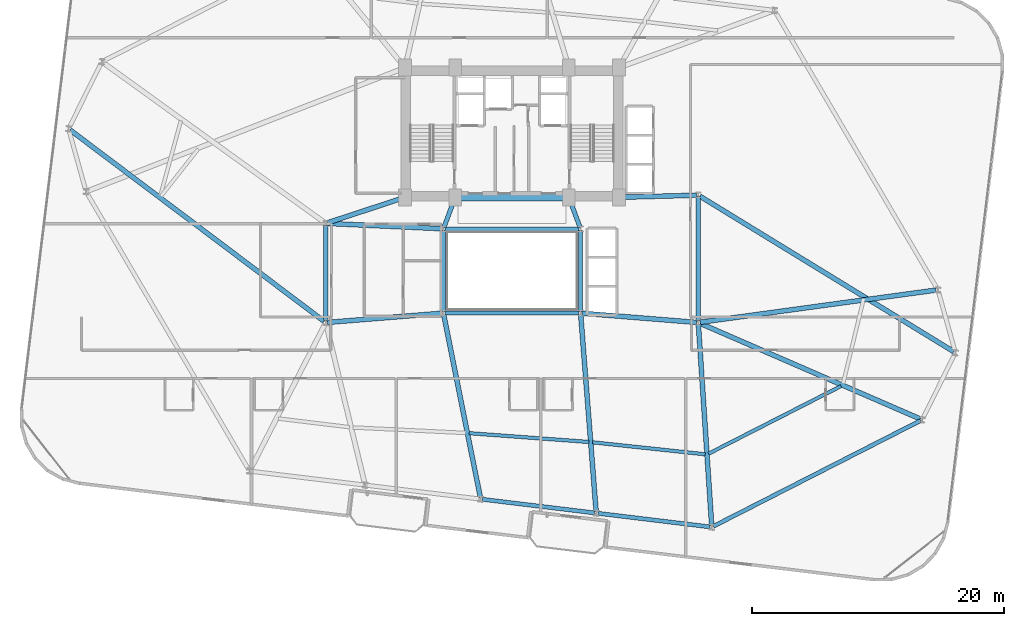
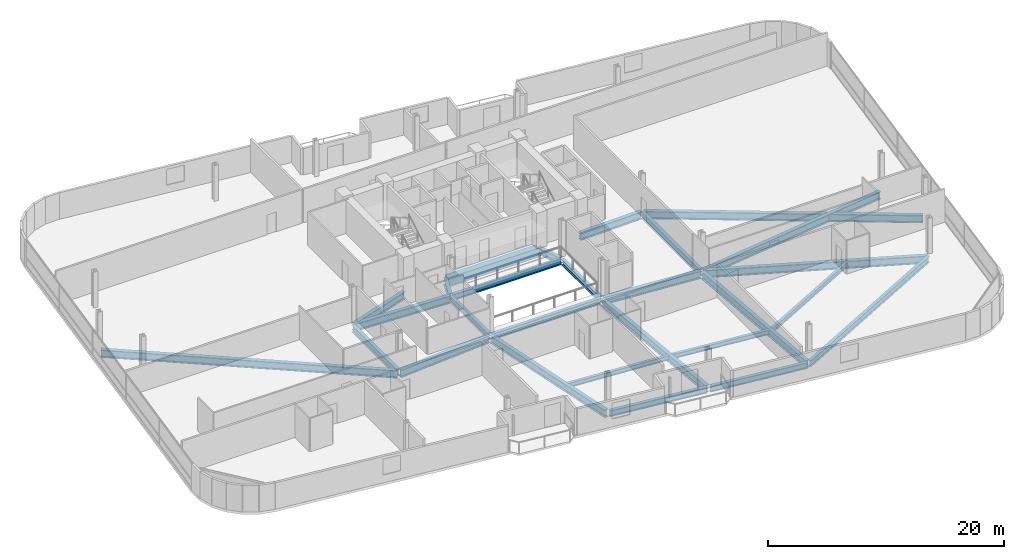
# One storey, part 7 of 25: 27 beams.
"""IFC4 building model written with IfcOpenShell, lengths in metres."""

from ifc_helpers import new_model, si_unit, direction, frame, origin, origin_2d, place, context, subcontext, project, spatial, rectangle, i_section, extrude, material, material_profile, profile_set, type_object, element, save


model = new_model("IFC4")

# Units and contexts
model_context = context("Model", 3, precision=1e-05, world=origin(), true_north=direction((0.0, 1.0)))
body_context = subcontext(model_context, "Body", "Model", "MODEL_VIEW")
ifc_project = project(units=[si_unit("LENGTHUNIT", "METRE"), si_unit("AREAUNIT", "SQUARE_METRE"), si_unit("VOLUMEUNIT", "CUBIC_METRE"), si_unit("PLANEANGLEUNIT", "RADIAN"), si_unit("MASSUNIT", "GRAM", prefix="KILO")], contexts=[model_context])

# Site, building, storey
site_placement = place(None, origin())
site = spatial("IfcSite", under=ifc_project, at=site_placement, CompositionType="ELEMENT")
building_placement = place(site_placement, origin())
building = spatial("IfcBuilding", under=site, at=building_placement, Name="Varnelok Gate Tower", CompositionType="ELEMENT")
storey_placement = place(building_placement, frame((0.0, 0.0, 136.5)))
storey = spatial("IfcBuildingStorey", under=building, at=storey_placement, Name="L34", CompositionType="ELEMENT", Elevation=136.5)

# Beams
ifc_material_1 = material(Name="Structural Steel ASTM A992 Grade 50", Category="steel")
ifc_material_profile_1 = material_profile(ifc_material_1, i_section(OverallWidth=0.280029296875, OverallDepth=0.462890625, WebThickness=0.0107421875, FlangeThickness=0.017333984375, FilletRadius=0.014892578125, at=origin_2d()), Name="W18X76")
ifc_profile_set_1 = profile_set([ifc_material_profile_1], Name="Structural Steel ASTM A992 Grade 50")
beam_type_1 = type_object("IfcBeamType", Name="BM-JST-W18X76", PredefinedType="JOIST", material=ifc_profile_set_1)
beam_1_placement = place(storey_placement, frame((35.7998046875, 10.0068359375, -0.4814453125), z_axis=(0.997322716873, -0.07312590792, 0.0), x_axis=(0.07312590792, 0.997322716873, 0.0)))
element("IfcBeam", 1, at=beam_1_placement, inside=storey, type_object=beam_type_1, Name="L34 Sector Floor Joist 3", PredefinedType="JOIST", context=body_context, shape_type="SweptSolid", body=[
    extrude(i_section(OverallWidth=0.280029296875, OverallDepth=0.462890625, WebThickness=0.0107421875, FlangeThickness=0.017333984375, FilletRadius=0.014892578125, at=origin_2d()), origin(), (0.0, 0.0, 1.0), 9.53857421875),
])
beam_2_placement = place(storey_placement, frame((45.591552734375, 9.2841796875, -0.4814453125), z_axis=(0.994377390367, -0.105894313006, 0.0), x_axis=(0.105894313006, 0.994377390367, 0.0)))
element("IfcBeam", 2, at=beam_2_placement, inside=storey, type_object=beam_type_1, Name="L34 Sector Floor Joist 4", PredefinedType="JOIST", context=body_context, shape_type="SweptSolid", body=[
    extrude(i_section(OverallWidth=0.280029296875, OverallDepth=0.462890625, WebThickness=0.0107421875, FlangeThickness=0.017333984375, FilletRadius=0.014892578125, at=origin_2d()), origin(), (0.0, 0.0, 1.0), 9.0146484375),
])
beam_3_placement = place(storey_placement, frame((54.819091796875, 8.37841796875, -0.4814453125), z_axis=(0.890730311065, 0.454532191324, 0.0), x_axis=(-0.454532191324, 0.890730311065, 0.0)))
element("IfcBeam", 3, at=beam_3_placement, inside=storey, type_object=beam_type_1, Name="L34 Sector Floor Joist 5", PredefinedType="JOIST", context=body_context, shape_type="SweptSolid", body=[
    extrude(i_section(OverallWidth=0.280029296875, OverallDepth=0.462890625, WebThickness=0.0107421875, FlangeThickness=0.017333984375, FilletRadius=0.014892578125, at=origin_2d()), origin(), (0.0, 0.0, 1.0), 11.82470703125),
])
ifc_material_2 = material(Name="Concrete C60/75", Category="concrete")
ifc_material_profile_2 = material_profile(ifc_material_2, rectangle(XDim=0.60009765625, YDim=0.949951171875, at=origin_2d()), Name="RC950X600")
ifc_profile_set_2 = profile_set([ifc_material_profile_2], Name="Concrete C60/75")
beam_type_2 = type_object("IfcBeamType", Name="BM-LNT-RC950", PredefinedType="LINTEL", material=ifc_profile_set_2)
beam_4_placement = place(storey_placement, frame((34.800048828125, 28.75, -0.72509765625), z_axis=(1.0, 0.0, 0.0), x_axis=(0.0, 1.0, 0.0)))
element("IfcBeam", 4, at=beam_4_placement, inside=storey, type_object=beam_type_2, Name="L34 Core-Atrium Spine Beam 7", PredefinedType="LINTEL", context=body_context, shape_type="SweptSolid", body=[
    extrude(rectangle(XDim=0.60009765625, YDim=0.949951171875, at=origin_2d()), origin(), (0.0, 0.0, 1.0), 8.800048828125),
])
ifc_material_profile_3 = material_profile(ifc_material_1, i_section(OverallWidth=0.35498046875, OverallDepth=0.696044921875, WebThickness=0.015380859375, FlangeThickness=0.02490234375, FilletRadius=0.02001953125, at=origin_2d()), Name="W27X146")
ifc_profile_set_3 = profile_set([ifc_material_profile_3], Name="Structural Steel ASTM A992 Grade 50")
beam_type_3 = type_object("IfcBeamType", Name="BM-PRI-W27X146", PredefinedType="BEAM", material=ifc_profile_set_3)
for number, where, z_axis, x_axis, name in (
    (5, (33.791748046875, 26.362548828125, -0.597900390625), (0.348719329408, 0.937227202602, 0.0), (-0.937227202602, 0.348719329408, 0.0), "L34 Core-Atrium Spine Beam 12"),
    (6, (44.608154296875, 26.362548828125, -0.597900390625), (-0.348719329408, 0.937227202602, 0.0), (-0.937227202602, -0.348719329408, 0.0), "L34 Core-Atrium Spine Beam 13"),
):
    element("IfcBeam", number, at=place(storey_placement, frame(where, z_axis=z_axis, x_axis=x_axis)), inside=storey, type_object=beam_type_3, Name=name, PredefinedType="BEAM", context=body_context, shape_type="SweptSolid", body=[
        extrude(i_section(OverallWidth=0.35498046875, OverallDepth=0.696044921875, WebThickness=0.015380859375, FlangeThickness=0.02490234375, FilletRadius=0.02001953125, at=origin_2d()), origin(), (0.0, 0.0, 1.0), 2.42724609375),
    ])
beam_5_placement = place(storey_placement, frame((24.39990234375, 18.919921875, -0.597900390625), z_axis=(0.0, 1.0, 0.0), x_axis=(-1.0, 0.0, 0.0)))
element("IfcBeam", 7, at=beam_5_placement, inside=storey, type_object=beam_type_3, Name="L34 Core-Atrium Spine Beam 16", PredefinedType="BEAM", context=body_context, shape_type="SweptSolid", body=[
    extrude(i_section(OverallWidth=0.35498046875, OverallDepth=0.696044921875, WebThickness=0.015380859375, FlangeThickness=0.02490234375, FilletRadius=0.02001953125, at=origin_2d()), origin(), (0.0, 0.0, 1.0), 7.64013671875),
])
beam_6_placement = place(storey_placement, frame((54.0, 18.919921875, -0.597900390625), z_axis=(0.0, 1.0, 0.0), x_axis=(-1.0, 0.0, 0.0)))
element("IfcBeam", 8, at=beam_6_placement, inside=storey, type_object=beam_type_3, Name="L34 Core-Atrium Spine Beam 20", PredefinedType="BEAM", context=body_context, shape_type="SweptSolid", body=[
    extrude(i_section(OverallWidth=0.35498046875, OverallDepth=0.696044921875, WebThickness=0.015380859375, FlangeThickness=0.02490234375, FilletRadius=0.02001953125, at=origin_2d()), origin(), (0.0, 0.0, 1.0), 9.880126953125),
])
ifc_material_profile_4 = material_profile(ifc_material_1, i_section(OverallWidth=0.381103515625, OverallDepth=0.77294921875, WebThickness=0.0166015625, FlangeThickness=0.027099609375, FilletRadius=0.02197265625, at=origin_2d()), Name="W30X173")
ifc_profile_set_4 = profile_set([ifc_material_profile_4], Name="Structural Steel ASTM A992 Grade 50")
beam_type_4 = type_object("IfcBeamType", Name="BM-PRI-W30X173", PredefinedType="BEAM", material=ifc_profile_set_4)
beam_7_placement = place(storey_placement, frame((24.51953125, 18.8095703125, -0.636474609375), z_axis=(0.996799206292, 0.07994587128, 0.0), x_axis=(-0.07994587128, 0.996799206292, 0.0)))
element("IfcBeam", 9, at=beam_7_placement, inside=storey, type_object=beam_type_4, Name="L34 Core-Atrium Spine Beam 14", PredefinedType="BEAM", context=body_context, shape_type="SweptSolid", body=[
    extrude(i_section(OverallWidth=0.381103515625, OverallDepth=0.77294921875, WebThickness=0.0166015625, FlangeThickness=0.027099609375, FilletRadius=0.02197265625, at=origin_2d()), origin(), (0.0, 0.0, 1.0), 9.14013671875),
])
beam_8_placement = place(storey_placement, frame((24.52001953125, 26.674560546875, -0.636474609375), z_axis=(0.99894427814, -0.045938319209, 0.0), x_axis=(0.045938319209, 0.99894427814, 0.0)))
element("IfcBeam", 10, at=beam_8_placement, inside=storey, type_object=beam_type_4, Name="L34 Core-Atrium Spine Beam 15", PredefinedType="BEAM", context=body_context, shape_type="SweptSolid", body=[
    extrude(i_section(OverallWidth=0.381103515625, OverallDepth=0.77294921875, WebThickness=0.0166015625, FlangeThickness=0.027099609375, FilletRadius=0.02197265625, at=origin_2d()), origin(), (0.0, 0.0, 1.0), 9.11962890625),
])
beam_9_placement = place(storey_placement, frame((24.513916015625, 26.717529296875, -0.636474609375), z_axis=(0.950041943788, 0.312122259768, 0.0), x_axis=(-0.312122259768, 0.950041943788, 0.0)))
element("IfcBeam", 11, at=beam_9_placement, inside=storey, type_object=beam_type_4, Name="L34 Core-Atrium Spine Beam 17", PredefinedType="BEAM", context=body_context, shape_type="SweptSolid", body=[
    extrude(i_section(OverallWidth=0.381103515625, OverallDepth=0.77294921875, WebThickness=0.0166015625, FlangeThickness=0.027099609375, FilletRadius=0.02197265625, at=origin_2d()), origin(), (0.0, 0.0, 1.0), 6.391357421875),
])
beam_10_placement = place(storey_placement, frame((44.76953125, 19.540283203125, -0.636474609375), z_axis=(0.996799206292, -0.07994587128, 0.0), x_axis=(0.07994587128, 0.996799206292, 0.0)))
element("IfcBeam", 12, at=beam_10_placement, inside=storey, type_object=beam_type_4, Name="L34 Core-Atrium Spine Beam 18", PredefinedType="BEAM", context=body_context, shape_type="SweptSolid", body=[
    extrude(i_section(OverallWidth=0.381103515625, OverallDepth=0.77294921875, WebThickness=0.0166015625, FlangeThickness=0.027099609375, FilletRadius=0.02197265625, at=origin_2d()), origin(), (0.0, 0.0, 1.0), 9.14013671875),
])
beam_11_placement = place(storey_placement, frame((47.820068359375, 28.753173828125, -0.636474609375), z_axis=(0.999635880609, 0.026983443053, 0.0), x_axis=(-0.026983443053, 0.999635880609, 0.0)))
element("IfcBeam", 13, at=beam_11_placement, inside=storey, type_object=beam_type_4, Name="L34 Core-Atrium Spine Beam 19", PredefinedType="BEAM", context=body_context, shape_type="SweptSolid", body=[
    extrude(i_section(OverallWidth=0.381103515625, OverallDepth=0.77294921875, WebThickness=0.0166015625, FlangeThickness=0.027099609375, FilletRadius=0.02197265625, at=origin_2d()), origin(), (0.0, 0.0, 1.0), 6.06201171875),
])
beam_12_placement = place(storey_placement, frame((33.779541015625, 19.40283203125, -0.636474609375), z_axis=(0.1964593524, -0.980511969766, 0.0), x_axis=(0.980511969766, 0.1964593524, 0.0)))
element("IfcBeam", 14, at=beam_12_placement, inside=storey, type_object=beam_type_4, Name="L34 Radial Floor Girder 3", PredefinedType="BEAM", context=body_context, shape_type="SweptSolid", body=[
    extrude(i_section(OverallWidth=0.381103515625, OverallDepth=0.77294921875, WebThickness=0.0166015625, FlangeThickness=0.027099609375, FilletRadius=0.02197265625, at=origin_2d()), origin(), (0.0, 0.0, 1.0), 14.773193359375),
])
beam_13_placement = place(storey_placement, frame((44.66162109375, 19.400390625, -0.636474609375), z_axis=(0.078042805068, -0.996950009066, 0.0), x_axis=(0.996950009066, 0.078042805068, 0.0)))
element("IfcBeam", 15, at=beam_13_placement, inside=storey, type_object=beam_type_4, Name="L34 Radial Floor Girder 4", PredefinedType="BEAM", context=body_context, shape_type="SweptSolid", body=[
    extrude(i_section(OverallWidth=0.381103515625, OverallDepth=0.77294921875, WebThickness=0.0166015625, FlangeThickness=0.027099609375, FilletRadius=0.02197265625, at=origin_2d()), origin(), (0.0, 0.0, 1.0), 15.641357421875),
])
beam_14_placement = place(storey_placement, frame((54.010009765625, 18.650390625, -0.636474609375), z_axis=(0.066089376194, -0.997813707239, 0.0), x_axis=(0.997813707239, 0.066089376194, 0.0)))
element("IfcBeam", 16, at=beam_14_placement, inside=storey, type_object=beam_type_4, Name="L34 Radial Floor Girder 5", PredefinedType="BEAM", context=body_context, shape_type="SweptSolid", body=[
    extrude(i_section(OverallWidth=0.381103515625, OverallDepth=0.77294921875, WebThickness=0.0166015625, FlangeThickness=0.027099609375, FilletRadius=0.02197265625, at=origin_2d()), origin(), (0.0, 0.0, 1.0), 15.99169921875),
])
beam_15_placement = place(storey_placement, frame((54.1376953125, 18.740234375, -0.636474609375), z_axis=(0.917259371715, -0.398290402848, 0.0), x_axis=(0.398290402848, 0.917259371715, 0.0)))
element("IfcBeam", 17, at=beam_15_placement, inside=storey, type_object=beam_type_4, Name="L34 Radial Floor Girder 6", PredefinedType="BEAM", context=body_context, shape_type="SweptSolid", body=[
    extrude(i_section(OverallWidth=0.381103515625, OverallDepth=0.77294921875, WebThickness=0.0166015625, FlangeThickness=0.027099609375, FilletRadius=0.02197265625, at=origin_2d()), origin(), (0.0, 0.0, 1.0), 19.09765625),
])
beam_16_placement = place(storey_placement, frame((54.1279296875, 28.841796875, -0.636474609375), z_axis=(0.852781066678, -0.522268563399, 0.0), x_axis=(0.522268563399, 0.852781066678, 0.0)))
element("IfcBeam", 18, at=beam_16_placement, inside=storey, type_object=beam_type_4, Name="L34 Radial Floor Girder 7", PredefinedType="BEAM", context=body_context, shape_type="SweptSolid", body=[
    extrude(i_section(OverallWidth=0.381103515625, OverallDepth=0.77294921875, WebThickness=0.0166015625, FlangeThickness=0.027099609375, FilletRadius=0.02197265625, at=origin_2d()), origin(), (0.0, 0.0, 1.0), 23.663330078125),
])
beam_17_placement = place(storey_placement, frame((54.148681640625, 18.8203125, -0.636474609375), z_axis=(0.990818465143, 0.135198998265, 0.0), x_axis=(-0.135198998265, 0.990818465143, 0.0)))
element("IfcBeam", 19, at=beam_17_placement, inside=storey, type_object=beam_type_4, Name="L34 Radial Floor Girder 8", PredefinedType="BEAM", context=body_context, shape_type="SweptSolid", body=[
    extrude(i_section(OverallWidth=0.381103515625, OverallDepth=0.77294921875, WebThickness=0.0166015625, FlangeThickness=0.027099609375, FilletRadius=0.02197265625, at=origin_2d()), origin(), (0.0, 0.0, 1.0), 18.921142578125),
])
beam_18_placement = place(storey_placement, frame((24.2802734375, 18.890380859375, -0.636474609375), z_axis=(-0.798720202065, 0.601702616591, 0.0), x_axis=(-0.601702616591, -0.798720202065, 0.0)))
element("IfcBeam", 20, at=beam_18_placement, inside=storey, type_object=beam_type_4, Name="L34 Radial Floor Girder 15", PredefinedType="BEAM", context=body_context, shape_type="SweptSolid", body=[
    extrude(i_section(OverallWidth=0.381103515625, OverallDepth=0.77294921875, WebThickness=0.0166015625, FlangeThickness=0.027099609375, FilletRadius=0.02197265625, at=origin_2d()), origin(), (0.0, 0.0, 1.0), 25.285400390625),
])
ifc_material_profile_5 = material_profile(ifc_material_1, i_section(OverallWidth=0.323974609375, OverallDepth=0.611083984375, WebThickness=0.0126953125, FlangeThickness=0.01904296875, FilletRadius=0.01806640625, at=origin_2d()), Name="W24X104")
ifc_profile_set_5 = profile_set([ifc_material_profile_5], Name="Structural Steel ASTM A992 Grade 50")
beam_type_5 = type_object("IfcBeamType", Name="BM-SPN-W24X104", PredefinedType="SPANDREL", material=ifc_profile_set_5)
for number, where, z_axis, x_axis, name in (
    (21, (33.8701171875, 19.550048828125, -0.555419921875), (1.0, 0.0, 0.0), (0.0, 1.0, 0.0), "L34 Core-Atrium Spine Beam 8"),
    (22, (33.8701171875, 26.25, -0.555419921875), (1.0, 0.0, 0.0), (0.0, 1.0, 0.0), "L34 Core-Atrium Spine Beam 9"),
):
    element("IfcBeam", number, at=place(storey_placement, frame(where, z_axis=z_axis, x_axis=x_axis)), inside=storey, type_object=beam_type_5, Name=name, PredefinedType="SPANDREL", context=body_context, shape_type="SweptSolid", body=[
        extrude(i_section(OverallWidth=0.323974609375, OverallDepth=0.611083984375, WebThickness=0.0126953125, FlangeThickness=0.01904296875, FilletRadius=0.01806640625, at=origin_2d()), origin(), (0.0, 0.0, 1.0), 10.659912109375),
    ])
for number, where, z_axis, x_axis, name in (
    (23, (33.75, 19.669921875, -0.555419921875), (0.0, 1.0, 0.0), (-1.0, 0.0, 0.0), "L34 Core-Atrium Spine Beam 10"),
    (24, (44.64990234375, 19.669921875, -0.555419921875), (0.0, 1.0, 0.0), (-1.0, 0.0, 0.0), "L34 Core-Atrium Spine Beam 11"),
):
    element("IfcBeam", number, at=place(storey_placement, frame(where, z_axis=z_axis, x_axis=x_axis)), inside=storey, type_object=beam_type_5, Name=name, PredefinedType="SPANDREL", context=body_context, shape_type="SweptSolid", body=[
        extrude(i_section(OverallWidth=0.323974609375, OverallDepth=0.611083984375, WebThickness=0.0126953125, FlangeThickness=0.01904296875, FilletRadius=0.01806640625, at=origin_2d()), origin(), (0.0, 0.0, 1.0), 6.4599609375),
    ])
for number, where, z_axis, x_axis, name in (
    (25, (36.860107421875, 4.752197265625, -0.555419921875), (0.992734670707, -0.120324035735, 0.0), (0.120324035735, 0.992734670707, 0.0), "L34 Perimeter Spandrel Beam 3"),
    (26, (46.04296875, 3.638916015625, -0.555419921875), (0.992734670707, -0.120324035735, 0.0), (0.120324035735, 0.992734670707, 0.0), "L34 Perimeter Spandrel Beam 4"),
):
    element("IfcBeam", number, at=place(storey_placement, frame(where, z_axis=z_axis, x_axis=x_axis)), inside=storey, type_object=beam_type_5, Name=name, PredefinedType="SPANDREL", context=body_context, shape_type="SweptSolid", body=[
        extrude(i_section(OverallWidth=0.323974609375, OverallDepth=0.611083984375, WebThickness=0.0126953125, FlangeThickness=0.01904296875, FilletRadius=0.01806640625, at=origin_2d()), origin(), (0.0, 0.0, 1.0), 8.949951171875),
    ])
beam_19_placement = place(storey_placement, frame((55.21044921875, 2.612060546875, -0.555419921875), z_axis=(0.890721671543, 0.454549121486, 0.0), x_axis=(-0.454549121486, 0.890721671543, 0.0)))
element("IfcBeam", 27, at=beam_19_placement, inside=storey, type_object=beam_type_5, Name="L34 Perimeter Spandrel Beam 5", PredefinedType="SPANDREL", context=body_context, shape_type="SweptSolid", body=[
    extrude(i_section(OverallWidth=0.323974609375, OverallDepth=0.611083984375, WebThickness=0.0126953125, FlangeThickness=0.01904296875, FilletRadius=0.01806640625, at=origin_2d()), origin(), (0.0, 0.0, 1.0), 18.466796875),
])

save(model, "model.ifc")
